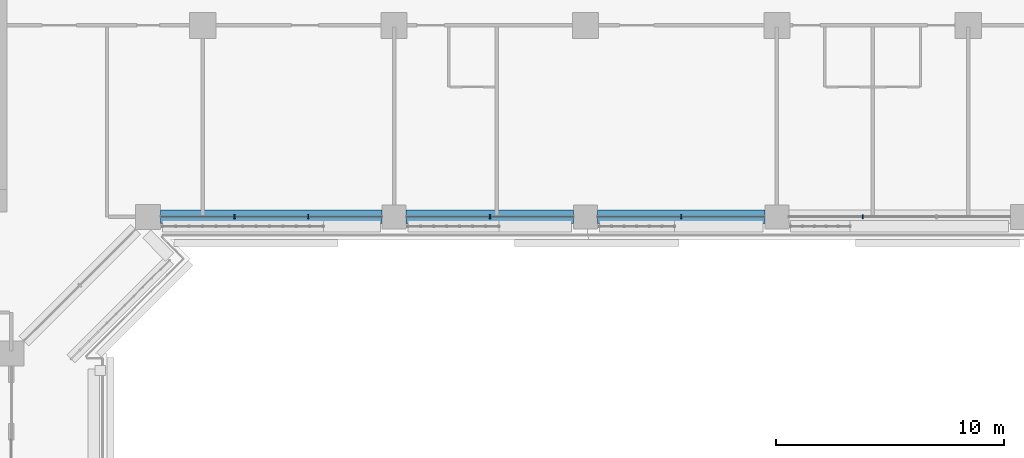
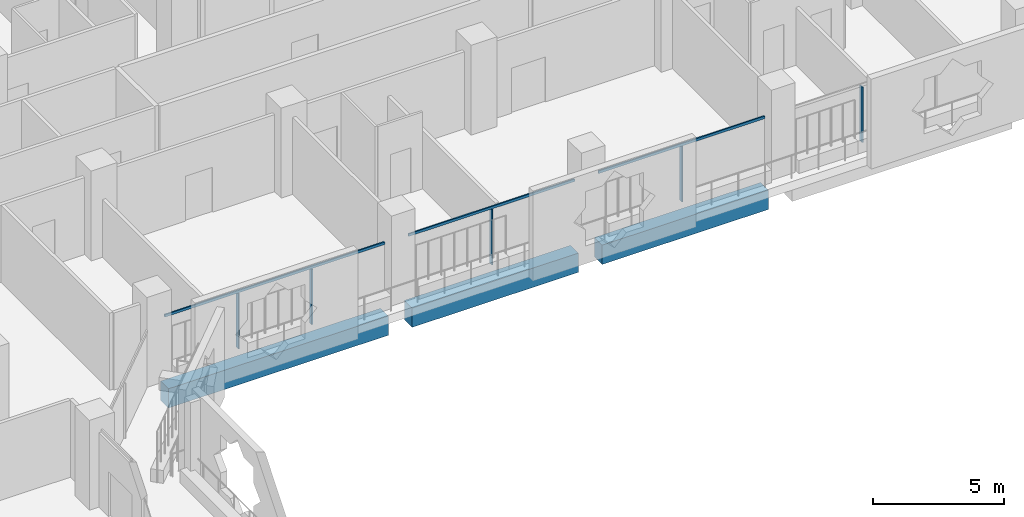
# One storey, part 6 of 25: 8 members, 3 beams, 1 element without a shape of its own.
"""IFC4 building model written with IfcOpenShell, lengths in metres."""

from ifc_helpers import new_model, si_unit, direction, frame, origin, origin_2d, place, context, subcontext, project, spatial, rectangle, extrude, material, layer, layer_set, material_profile, profile_set, type_object, element, aggregate, save


model = new_model("IFC4")

# Units and contexts
model_context = context("Model", 3, precision=1e-05, world=origin(), true_north=direction((0.0, 1.0)))
body_context = subcontext(model_context, "Body", "Model", "MODEL_VIEW")
ifc_project = project(units=[si_unit("LENGTHUNIT", "METRE"), si_unit("AREAUNIT", "SQUARE_METRE"), si_unit("VOLUMEUNIT", "CUBIC_METRE"), si_unit("PLANEANGLEUNIT", "RADIAN"), si_unit("MASSUNIT", "GRAM", prefix="KILO")], contexts=[model_context])

# Site, building, storey
site_placement = place(None, origin())
site = spatial("IfcSite", under=ifc_project, at=site_placement, CompositionType="ELEMENT")
building_placement = place(site_placement, origin())
building = spatial("IfcBuilding", under=site, at=building_placement, Name="Kawkab Arch Medical Tower", CompositionType="ELEMENT")
storey_placement = place(building_placement, frame((0.0, 0.0, 128.199951171875)))
storey = spatial("IfcBuildingStorey", under=building, at=storey_placement, Name="L29", CompositionType="ELEMENT", Elevation=128.199951171875)

# Curtain wall, members
ifc_material_1 = material(Name="Bronze anodised aluminium curtain wall frame", Category="aluminium")
ifc_layer = layer(ifc_material_1, 0.159912109375)
ifc_layer_set = layer_set([ifc_layer], Name="Bronze anodised aluminium curtain wall frame")
curtain_wall_type = type_object("IfcCurtainWallType", Name="CW1 ward curtain wall", PredefinedType="NOTDEFINED", material=ifc_layer_set)
curtain_wall_placement = place(storey_placement, origin())
curtain_wall = element("IfcCurtainWall", 1, at=curtain_wall_placement, inside=storey, type_object=curtain_wall_type, Name="CW1 Ward curtain wall R07", PredefinedType="NOTDEFINED")
ifc_material_2 = material(Name="Bronze anodised aluminium curtain wall frame", Category="aluminium")
ifc_material_profile_1 = material_profile(ifc_material_2, rectangle(XDim=0.179931640625, YDim=0.06005859375, at=origin_2d()), Name="AL 60x180")
ifc_profile_set_1 = profile_set([ifc_material_profile_1], Name="Bronze anodised aluminium curtain wall frame")
member_type_1 = type_object("IfcMemberType", Name="CW1 mullion 60 x 180", PredefinedType="MULLION", material=ifc_profile_set_1)
member_1_placement = place(storey_placement, frame((34.99169921875, -25.199951171875, 0.0), z_axis=(0.0, 0.0, 1.0), x_axis=(0.0, 1.0, 0.0)))
member_1 = element("IfcMember", 2, at=member_1_placement, type_object=member_type_1, Name="CW1 mullion 1.1", PredefinedType="MULLION", context=body_context, shape_type="SweptSolid", body=[
    extrude(rectangle(XDim=0.179931640625, YDim=0.06005859375, at=origin_2d()), origin(), (0.0, 0.0, 1.0), 2.580078125),
])
member_2_placement = place(storey_placement, frame((38.2333984375, -25.199951171875, 0.0), z_axis=(0.0, 0.0, 1.0), x_axis=(0.0, 1.0, 0.0)))
member_2 = element("IfcMember", 3, at=member_2_placement, type_object=member_type_1, Name="CW1 mullion 1.2", PredefinedType="MULLION", context=body_context, shape_type="SweptSolid", body=[
    extrude(rectangle(XDim=0.179931640625, YDim=0.06005859375, at=origin_2d()), origin(), (0.0, 0.0, 1.0), 2.580078125),
])
member_3_placement = place(storey_placement, frame((46.199951171875, -25.199951171875, 0.0), z_axis=(0.0, 0.0, 1.0), x_axis=(0.0, 1.0, 0.0)))
member_3 = element("IfcMember", 4, at=member_3_placement, type_object=member_type_1, Name="CW1 mullion 2.1", PredefinedType="MULLION", context=body_context, shape_type="SweptSolid", body=[
    extrude(rectangle(XDim=0.179931640625, YDim=0.06005859375, at=origin_2d()), origin(), (0.0, 0.0, 1.0), 2.580078125),
])
member_4_placement = place(storey_placement, frame((54.60009765625, -25.199951171875, 0.0), z_axis=(0.0, 0.0, 1.0), x_axis=(0.0, 1.0, 0.0)))
member_4 = element("IfcMember", 5, at=member_4_placement, type_object=member_type_1, Name="CW1 mullion 3.1", PredefinedType="MULLION", context=body_context, shape_type="SweptSolid", body=[
    extrude(rectangle(XDim=0.179931640625, YDim=0.06005859375, at=origin_2d()), origin(), (0.0, 0.0, 1.0), 2.580078125),
])
member_5_placement = place(storey_placement, frame((62.566650390625, -25.199951171875, 0.0), z_axis=(0.0, 0.0, 1.0), x_axis=(0.0, 1.0, 0.0)))
member_5 = element("IfcMember", 6, at=member_5_placement, type_object=member_type_1, Name="CW1 mullion 4.1", PredefinedType="MULLION", context=body_context, shape_type="SweptSolid", body=[
    extrude(rectangle(XDim=0.179931640625, YDim=0.06005859375, at=origin_2d()), origin(), (0.0, 0.0, 1.0), 2.580078125),
])
ifc_material_3 = material(Name="Bronze anodised aluminium curtain wall frame", Category="aluminium")
ifc_material_profile_2 = material_profile(ifc_material_3, rectangle(XDim=0.06005859375, YDim=0.1201171875, at=origin_2d()), Name="AL 60x120")
ifc_profile_set_2 = profile_set([ifc_material_profile_2], Name="Bronze anodised aluminium curtain wall frame")
member_type_2 = type_object("IfcMemberType", Name="CW1 transom 120 x 60", PredefinedType="USERDEFINED", material=ifc_profile_set_2)
member_6_placement = place(storey_placement, frame((31.75, -25.199951171875, 2.64013671875), z_axis=(1.0, 0.0, 0.0), x_axis=(0.0, 1.0, 0.0)))
member_6 = element("IfcMember", 7, at=member_6_placement, type_object=member_type_2, Name="CW1 transom 1", ObjectType="TRANSOM", PredefinedType="USERDEFINED", context=body_context, shape_type="SweptSolid", body=[
    extrude(rectangle(XDim=0.06005859375, YDim=0.1201171875, at=origin_2d()), origin(), (0.0, 0.0, 1.0), 9.72509765625),
])
member_7_placement = place(storey_placement, frame((42.52490234375, -25.199951171875, 2.64013671875), z_axis=(1.0, 0.0, 0.0), x_axis=(0.0, 1.0, 0.0)))
member_7 = element("IfcMember", 8, at=member_7_placement, type_object=member_type_2, Name="CW1 transom 2", ObjectType="TRANSOM", PredefinedType="USERDEFINED", context=body_context, shape_type="SweptSolid", body=[
    extrude(rectangle(XDim=0.06005859375, YDim=0.1201171875, at=origin_2d()), origin(), (0.0, 0.0, 1.0), 7.35009765625),
])
member_8_placement = place(storey_placement, frame((50.925048828125, -25.199951171875, 2.64013671875), z_axis=(1.0, 0.0, 0.0), x_axis=(0.0, 1.0, 0.0)))
member_8 = element("IfcMember", 9, at=member_8_placement, type_object=member_type_2, Name="CW1 transom 3", ObjectType="TRANSOM", PredefinedType="USERDEFINED", context=body_context, shape_type="SweptSolid", body=[
    extrude(rectangle(XDim=0.06005859375, YDim=0.1201171875, at=origin_2d()), origin(), (0.0, 0.0, 1.0), 7.349853515625),
])
aggregate(curtain_wall, [member_6, member_1, member_2, member_7, member_3, member_8, member_4, member_5])

# Beams
ifc_material_4 = material(Name="Concrete C55/67", Category="concrete")
ifc_material_profile_3 = material_profile(ifc_material_4, rectangle(XDim=0.60009765625, YDim=0.89990234375, at=origin_2d()), Name="RC 600x900")
ifc_profile_set_3 = profile_set([ifc_material_profile_3], Name="Concrete C55/67")
beam_type = type_object("IfcBeamType", Name="RC 600x900 beam C55/67", PredefinedType="BEAM", material=ifc_profile_set_3)
beam_1_placement = place(storey_placement, frame((58.27490234375, -25.199951171875, -1.050048828125), z_axis=(-1.0, 0.0, 0.0), x_axis=(0.0, -1.0, 0.0)))
element("IfcBeam", 10, at=beam_1_placement, inside=storey, type_object=beam_type, Name="Overhang edge beam L29-03", PredefinedType="BEAM", context=body_context, shape_type="SweptSolid", body=[
    extrude(rectangle(XDim=0.60009765625, YDim=0.89990234375, at=origin_2d()), origin(), (0.0, 0.0, 1.0), 7.349853515625),
])
beam_2_placement = place(storey_placement, frame((49.875, -25.199951171875, -1.050048828125), z_axis=(-1.0, 0.0, 0.0), x_axis=(0.0, -1.0, 0.0)))
element("IfcBeam", 11, at=beam_2_placement, inside=storey, type_object=beam_type, Name="Overhang edge beam L29-04", PredefinedType="BEAM", context=body_context, shape_type="SweptSolid", body=[
    extrude(rectangle(XDim=0.60009765625, YDim=0.89990234375, at=origin_2d()), origin(), (0.0, 0.0, 1.0), 7.35009765625),
])
beam_3_placement = place(storey_placement, frame((41.47509765625, -25.199951171875, -1.050048828125), z_axis=(-1.0, 0.0, 0.0), x_axis=(0.0, -1.0, 0.0)))
element("IfcBeam", 12, at=beam_3_placement, inside=storey, type_object=beam_type, Name="Overhang edge beam L29-05", PredefinedType="BEAM", context=body_context, shape_type="SweptSolid", body=[
    extrude(rectangle(XDim=0.60009765625, YDim=0.89990234375, at=origin_2d()), origin(), (0.0, 0.0, 1.0), 9.72509765625),
])

save(model, "model.ifc")
